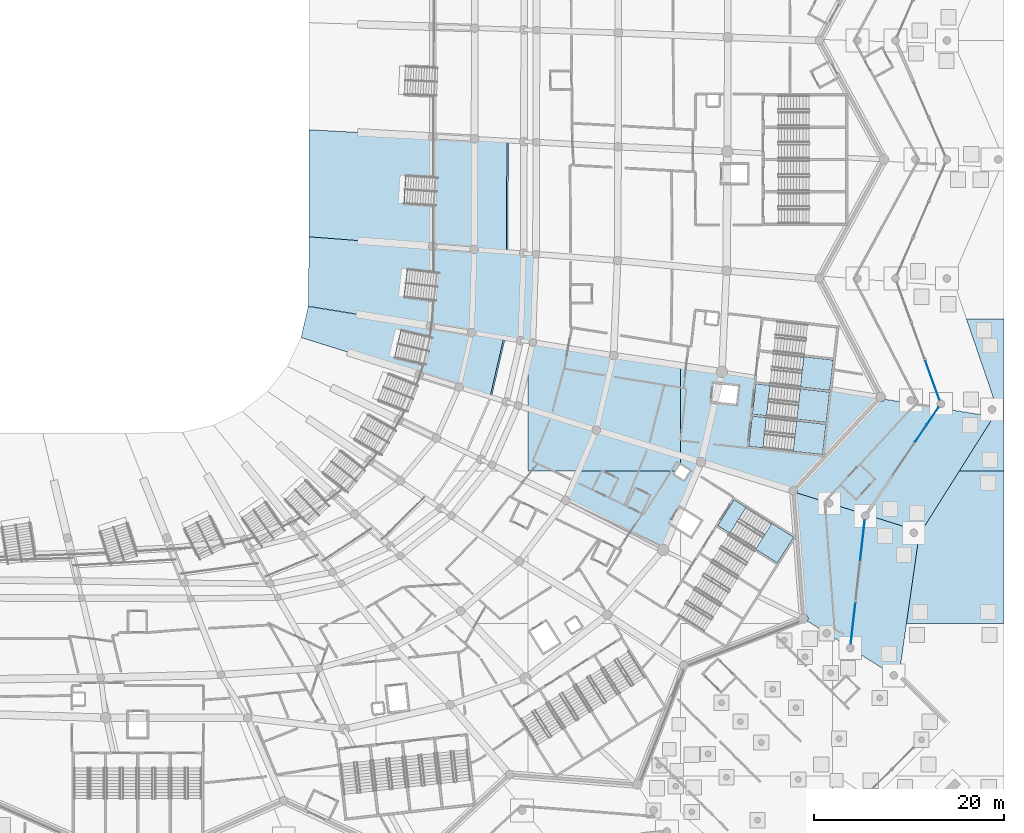
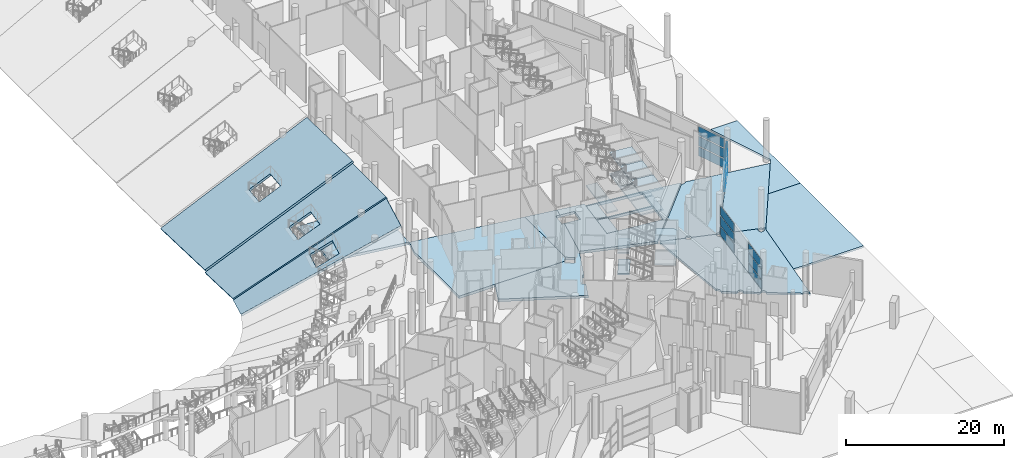
# One storey, part 82 of 255: 27 slabs, 15 plates, 8 elements without a shape of their own.
"""IFC4 building model written with IfcOpenShell, lengths in metres."""

from ifc_helpers import new_model, si_unit, direction, frame, origin, origin_2d, place, context, subcontext, project, spatial, polyline, rectangle, outline, extrude, material, layer, layer_set, type_object, element, aggregate, save


model = new_model("IFC4")

# Units and contexts
model_context = context("Model", 3, precision=1e-05, world=origin(), true_north=direction((0.0, 1.0)))
body_context = subcontext(model_context, "Body", "Model", "MODEL_VIEW")
ifc_project = project(units=[si_unit("LENGTHUNIT", "METRE"), si_unit("AREAUNIT", "SQUARE_METRE"), si_unit("VOLUMEUNIT", "CUBIC_METRE"), si_unit("PLANEANGLEUNIT", "RADIAN"), si_unit("MASSUNIT", "GRAM", prefix="KILO")], contexts=[model_context])

# Site, building, storey
site_placement = place(None, origin())
site = spatial("IfcSite", under=ifc_project, at=site_placement, CompositionType="ELEMENT")
building_placement = place(site_placement, origin())
building = spatial("IfcBuilding", under=site, at=building_placement, Name="Meseta Stadium", CompositionType="ELEMENT")
storey_placement = place(building_placement, origin())
storey = spatial("IfcBuildingStorey", under=building, at=storey_placement, Name="L00", CompositionType="ELEMENT", Elevation=0.0)

# Slabs
ifc_material_1 = material(Name="Concrete C40/50", Category="concrete")
ifc_layer_1 = layer(ifc_material_1, 0.39990234375)
ifc_layer_set_1 = layer_set([ifc_layer_1], Name="Floor slab 400")
slab_type_1 = type_object("IfcSlabType", Name="Floor slab 400", PredefinedType="FLOOR", material=ifc_layer_set_1)
slab_1_placement = place(storey_placement, frame((0.0, 0.0, -0.39990234375)))
element("IfcSlab", 1, at=slab_1_placement, inside=storey, type_object=slab_type_1, Name="Floor slab L00 sector 00 panel 01", PredefinedType="FLOOR", context=body_context, shape_type="SweptSolid", body=[
    extrude(outline(polyline([(64.829833984375, -41.2041015625), (53.9619140625, -40.369873046875), (53.9501953125, -46.135986328125), (53.90869140625, -47.00830078125), (53.838623046875, -47.87890625), (53.741455078125, -48.736572265625), (64.501953125, -50.4697265625), (64.829833984375, -41.2041015625)])), origin(), (0.0, 0.0, 1.0), 0.39990234375),
])
slab_2_placement = place(storey_placement, frame((0.0, 0.0, -0.39990234375)))
element("IfcSlab", 2, at=slab_2_placement, inside=storey, type_object=slab_type_1, Name="Floor slab L00 sector 49 panel 11", PredefinedType="FLOOR", context=body_context, shape_type="SweptSolid", body=[
    extrude(outline(polyline([(64.0, -64.0), (79.54296875, -64.0), (79.99951171875, -63.273193359375), (80.0, -62.44580078125), (80.0, -52.98583984375), (64.499267578125, -50.489501953125), (64.0, -52.640380859375), (64.0, -64.0)])), origin(), (0.0, 0.0, 1.0), 0.39990234375),
])
slab_3_placement = place(storey_placement, frame((0.0, 0.0, -0.39990234375)))
element("IfcSlab", 3, at=slab_3_placement, inside=storey, type_object=slab_type_1, Name="Floor slab L00 sector 49 panel 15", PredefinedType="FLOOR", context=body_context, shape_type="SweptSolid", body=[
    extrude(outline(polyline([(81.015625, -63.91162109375), (80.377197265625, -64.927734375), (79.361083984375, -64.289306640625), (79.54296875, -64.0), (69.297119140625, -64.0), (67.972412109375, -67.057861328125), (78.303466796875, -72.0263671875), (79.308349609375, -69.68896484375), (78.903564453125, -69.4345703125), (79.914306640625, -67.82568359375), (80.06787109375, -67.922119140625), (82.169189453125, -63.03369140625), (83.635498046875, -56.7060546875), (83.2880859375, -56.6669921875), (83.500732421875, -54.77880859375), (84.0673828125, -54.842529296875), (84.335693359375, -53.684326171875), (80.0, -52.98583984375), (80.0, -63.273681640625), (81.015625, -63.91162109375)])), origin(), (0.0, 0.0, 1.0), 0.39990234375),
])
slab_4_placement = place(storey_placement, frame((0.0, 0.0, -0.39990234375)))
element("IfcSlab", 4, at=slab_4_placement, inside=storey, type_object=slab_type_1, Name="Floor slab L00 sector 49 panel 18", PredefinedType="FLOOR", context=body_context, shape_type="SweptSolid", body=[
    extrude(outline(polyline([(82.169189453125, -63.03369140625), (91.872802734375, -66.051513671875), (100.910888671875, -56.353759765625), (95.3837890625, -55.463623046875), (87.94580078125, -54.62548828125), (87.985595703125, -54.272216796875), (84.335693359375, -53.684326171875), (84.0673828125, -54.842529296875), (86.08447265625, -55.06982421875), (85.87158203125, -56.9580078125), (83.635498046875, -56.7060546875), (82.169189453125, -63.03369140625)]), holes=[polyline([(87.1845703125, -61.3828125), (87.542724609375, -58.202880859375), (95.293701171875, -59.076171875), (94.935302734375, -62.256103515625), (87.1845703125, -61.3828125)]), polyline([(87.565185546875, -58.004150390625), (87.923583984375, -54.82421875), (95.67431640625, -55.697509765625), (95.316162109375, -58.87744140625), (87.565185546875, -58.004150390625)])]), origin(), (0.0, 0.0, 1.0), 0.39990234375),
])
ifc_material_2 = material(Name="Concrete C40/50", Category="concrete")
ifc_layer_2 = layer(ifc_material_2, 0.300048828125)
ifc_layer_set_2 = layer_set([ifc_layer_2], Name="Gate court paving 300")
slab_type_2 = type_object("IfcSlabType", Name="Gate court paving 300", PredefinedType="FLOOR", material=ifc_layer_set_2)
slab_5_placement = place(storey_placement, frame((0.0, 0.0, -0.300048828125)))
element("IfcSlab", 5, at=slab_5_placement, inside=storey, type_object=slab_type_2, Name="Gate 8 court paving panel 08", PredefinedType="FLOOR", context=body_context, shape_type="SweptSolid", body=[
    extrude(outline(polyline([(114.0, -64.0), (109.292236328125, -64.0), (105.086181640625, -70.675048828125), (103.755126953125, -80.0), (114.0, -80.0), (114.0, -64.0)])), origin(), (0.0, 0.0, 1.0), 0.300048828125),
])
slab_6_placement = place(storey_placement, frame((0.0, 0.0, -0.300048828125)))
element("IfcSlab", 6, at=slab_6_placement, inside=storey, type_object=slab_type_2, Name="Gate 8 court paving panel 09", PredefinedType="FLOOR", context=body_context, shape_type="SweptSolid", body=[
    extrude(outline(polyline([(113.33349609375, -57.586669921875), (109.292236328125, -64.0), (114.0, -64.0), (114.0, -47.9990234375), (110.053466796875, -48.0), (113.33349609375, -57.586669921875)])), origin(), (0.0, 0.0, 1.0), 0.300048828125),
])
ifc_material_3 = material(Name="Concrete C40/50", Category="concrete")
ifc_layer_3 = layer(ifc_material_3, 0.300048828125)
ifc_layer_set_3 = layer_set([ifc_layer_3], Name="Passage paving slab 300")
slab_type_3 = type_object("IfcSlabType", Name="Passage paving slab 300", PredefinedType="FLOOR", material=ifc_layer_set_3)
slab_7_placement = place(storey_placement, frame((0.0, 0.0, -0.300048828125)))
element("IfcSlab", 7, at=slab_7_placement, inside=storey, type_object=slab_type_3, Name="Covered passage paving 8 part 1 panel 01", PredefinedType="FLOOR", context=body_context, shape_type="SweptSolid", body=[
    extrude(outline(polyline([(102.82763671875, -85.45361328125), (102.81396484375, -85.55810546875), (102.773681640625, -85.655517578125), (102.764892578125, -85.66650390625), (102.931396484375, -85.771240234375), (103.0263671875, -85.106201171875), (103.755126953125, -80.0), (105.086181640625, -70.675048828125), (105.277587890625, -70.37109375), (104.837646484375, -70.233154296875), (104.8701171875, -70.275634765625), (104.910400390625, -70.372802734375), (104.92431640625, -70.477294921875), (104.910400390625, -70.581787109375), (104.8701171875, -70.678955078125), (104.805908203125, -70.7626953125), (104.722412109375, -70.82666015625), (104.625244140625, -70.866943359375), (104.520751953125, -70.880859375), (104.416259765625, -70.866943359375), (104.319091796875, -70.82666015625), (104.235595703125, -70.7626953125), (104.17138671875, -70.678955078125), (104.131103515625, -70.581787109375), (104.1171875, -70.477294921875), (104.131103515625, -70.372802734375), (104.17138671875, -70.275634765625), (104.235595703125, -70.19189453125), (104.319091796875, -70.1279296875), (104.397705078125, -70.09521484375), (99.822998046875, -68.660888671875), (99.8271484375, -68.69384765625), (99.8134765625, -68.798095703125), (99.773193359375, -68.8955078125), (99.708984375, -68.97900390625), (99.62548828125, -69.043212890625), (99.5283203125, -69.08349609375), (99.423828125, -69.09716796875), (99.37890625, -69.09130859375), (97.89697265625, -82.18310546875), (97.956298828125, -82.19091796875), (98.0537109375, -82.231201171875), (98.13720703125, -82.29541015625), (98.201416015625, -82.37890625), (98.24169921875, -82.476318359375), (98.25537109375, -82.580810546875), (98.24169921875, -82.68505859375), (98.201416015625, -82.782470703125), (98.192626953125, -82.793701171875), (102.084716796875, -85.239013671875), (102.138916015625, -85.16845703125), (102.222412109375, -85.104248046875), (102.31982421875, -85.06396484375), (102.42431640625, -85.05029296875), (102.528564453125, -85.06396484375), (102.6259765625, -85.104248046875), (102.70947265625, -85.16845703125), (102.773681640625, -85.251953125), (102.81396484375, -85.34912109375), (102.82763671875, -85.45361328125)])), origin(), (0.0, 0.0, 1.0), 0.300048828125),
])
slab_8_placement = place(storey_placement, frame((0.0, 0.0, -0.300048828125)))
element("IfcSlab", 8, at=slab_8_placement, inside=storey, type_object=slab_type_3, Name="Covered passage paving 8 part 1 panel 02", PredefinedType="FLOOR", context=body_context, shape_type="SweptSolid", body=[
    extrude(outline(polyline([(104.805908203125, -70.19189453125), (104.837646484375, -70.233154296875), (105.277587890625, -70.37109375), (109.292236328125, -64.0), (112.894287109375, -58.28369140625), (107.08056640625, -57.347412109375), (99.64794921875, -68.361572265625), (99.708984375, -68.408447265625), (99.773193359375, -68.4921875), (99.8134765625, -68.58935546875), (99.822998046875, -68.660888671875), (104.397705078125, -70.09521484375), (104.416259765625, -70.087646484375), (104.520751953125, -70.073974609375), (104.625244140625, -70.087646484375), (104.722412109375, -70.1279296875), (104.805908203125, -70.19189453125)])), origin(), (0.0, 0.0, 1.0), 0.300048828125),
])

# Curtain wall, plates
ifc_material_4 = material(Name="Aluminium", Category="aluminium")
ifc_layer_4 = layer(ifc_material_4, 0.199951171875)
ifc_layer_set_4 = layer_set([ifc_layer_4], Name="Ring shopfront curtain wall")
curtain_wall_type = type_object("IfcCurtainWallType", Name="Ring shopfront curtain wall", PredefinedType="NOTDEFINED", material=ifc_layer_set_4)
curtain_wall_1_placement = place(storey_placement, origin())
curtain_wall_1 = element("IfcCurtainWall", 9, at=curtain_wall_1_placement, inside=storey, type_object=curtain_wall_type, Name="Shopfront glazing F54a", PredefinedType="NOTDEFINED")
ifc_material_5 = material(Name="Glass", Category="glass")
ifc_layer_5 = layer(ifc_material_5, 0.035888671875)
ifc_layer_set_5 = layer_set([ifc_layer_5], Name="Ring CW glass panel 36")
plate_type = type_object("IfcPlateType", Name="Ring CW glass panel 36", PredefinedType="CURTAIN_PANEL", material=ifc_layer_set_5)
plate_1_placement = place(storey_placement, frame((98.1435546875, -80.003173828125, 0.150146484375), z_axis=(0.0, 0.0, 1.0), x_axis=(0.112472456913, 0.993654842707, 0.0)))
plate_1 = element("IfcPlate", 10, at=plate_1_placement, type_object=plate_type, Name="CWR1 panel 1.1", PredefinedType="CURTAIN_PANEL", context=body_context, shape_type="SweptSolid", body=[
    extrude(rectangle(XDim=4.267822265625, YDim=0.035888671875, at=origin_2d()), origin(), (0.0, 0.0, 1.0), 1.3916015625),
])
plate_2_placement = place(storey_placement, frame((98.1435546875, -80.003173828125, 1.69189453125), z_axis=(0.0, 0.0, 1.0), x_axis=(0.112472456913, 0.993654842707, 0.0)))
plate_2 = element("IfcPlate", 11, at=plate_2_placement, type_object=plate_type, Name="CWR1 panel 1.2", PredefinedType="CURTAIN_PANEL", context=body_context, shape_type="SweptSolid", body=[
    extrude(rectangle(XDim=4.267822265625, YDim=0.035888671875, at=origin_2d()), origin(), (0.0, 0.0, 1.0), 1.466552734375),
])
plate_3_placement = place(storey_placement, frame((98.1435546875, -80.003173828125, 3.308349609375), z_axis=(0.0, 0.0, 1.0), x_axis=(0.112472456913, 0.993654842707, 0.0)))
plate_3 = element("IfcPlate", 12, at=plate_3_placement, type_object=plate_type, Name="CWR1 panel 1.3", PredefinedType="CURTAIN_PANEL", context=body_context, shape_type="SweptSolid", body=[
    extrude(rectangle(XDim=4.267822265625, YDim=0.035888671875, at=origin_2d()), origin(), (0.0, 0.0, 1.0), 1.3916015625),
])
aggregate(curtain_wall_1, [plate_1, plate_2, plate_3])

curtain_wall_2_placement = place(storey_placement, origin())
curtain_wall_2 = element("IfcCurtainWall", 13, at=curtain_wall_2_placement, inside=storey, type_object=curtain_wall_type, Name="Shopfront glazing F54b", PredefinedType="NOTDEFINED")
plate_4_placement = place(storey_placement, frame((99.132080078125, -71.271240234375, 0.150146484375), z_axis=(0.0, 0.0, 1.0), x_axis=(0.112472456913, 0.993654842707, 0.0)))
plate_4 = element("IfcPlate", 14, at=plate_4_placement, type_object=plate_type, Name="CWR1 panel 1.1", PredefinedType="CURTAIN_PANEL", context=body_context, shape_type="SweptSolid", body=[
    extrude(rectangle(XDim=4.267822265625, YDim=0.035888671875, at=origin_2d()), origin(), (0.0, 0.0, 1.0), 1.3916015625),
])
plate_5_placement = place(storey_placement, frame((99.132080078125, -71.271240234375, 1.69189453125), z_axis=(0.0, 0.0, 1.0), x_axis=(0.112472456913, 0.993654842707, 0.0)))
plate_5 = element("IfcPlate", 15, at=plate_5_placement, type_object=plate_type, Name="CWR1 panel 1.2", PredefinedType="CURTAIN_PANEL", context=body_context, shape_type="SweptSolid", body=[
    extrude(rectangle(XDim=4.267822265625, YDim=0.035888671875, at=origin_2d()), origin(), (0.0, 0.0, 1.0), 1.466552734375),
])
plate_6_placement = place(storey_placement, frame((99.132080078125, -71.271240234375, 3.308349609375), z_axis=(0.0, 0.0, 1.0), x_axis=(0.112472456913, 0.993654842707, 0.0)))
plate_6 = element("IfcPlate", 16, at=plate_6_placement, type_object=plate_type, Name="CWR1 panel 1.3", PredefinedType="CURTAIN_PANEL", context=body_context, shape_type="SweptSolid", body=[
    extrude(rectangle(XDim=4.267822265625, YDim=0.035888671875, at=origin_2d()), origin(), (0.0, 0.0, 1.0), 1.3916015625),
])
aggregate(curtain_wall_2, [plate_4, plate_5, plate_6])

curtain_wall_3_placement = place(storey_placement, origin())
curtain_wall_3 = element("IfcCurtainWall", 17, at=curtain_wall_3_placement, inside=storey, type_object=curtain_wall_type, Name="Shopfront glazing F55b", PredefinedType="NOTDEFINED")
plate_7_placement = place(storey_placement, frame((105.26708984375, -60.034912109375, 0.150146484375), z_axis=(0.0, 0.0, 1.0), x_axis=(0.559368389201, 0.828919178909, 0.0)))
plate_7 = element("IfcPlate", 18, at=plate_7_placement, type_object=plate_type, Name="CWR1 panel 1.1", PredefinedType="CURTAIN_PANEL", context=body_context, shape_type="SweptSolid", body=[
    extrude(rectangle(XDim=2.162353515625, YDim=0.035888671875, at=origin_2d()), origin(), (0.0, 0.0, 1.0), 1.3916015625),
])
plate_8_placement = place(storey_placement, frame((105.26708984375, -60.034912109375, 1.69189453125), z_axis=(0.0, 0.0, 1.0), x_axis=(0.559368389201, 0.828919178909, 0.0)))
plate_8 = element("IfcPlate", 19, at=plate_8_placement, type_object=plate_type, Name="CWR1 panel 1.2", PredefinedType="CURTAIN_PANEL", context=body_context, shape_type="SweptSolid", body=[
    extrude(rectangle(XDim=2.162353515625, YDim=0.035888671875, at=origin_2d()), origin(), (0.0, 0.0, 1.0), 1.466552734375),
])
plate_9_placement = place(storey_placement, frame((105.26708984375, -60.034912109375, 3.308349609375), z_axis=(0.0, 0.0, 1.0), x_axis=(0.559368389201, 0.828919178909, 0.0)))
plate_9 = element("IfcPlate", 20, at=plate_9_placement, type_object=plate_type, Name="CWR1 panel 1.3", PredefinedType="CURTAIN_PANEL", context=body_context, shape_type="SweptSolid", body=[
    extrude(rectangle(XDim=2.162353515625, YDim=0.035888671875, at=origin_2d()), origin(), (0.0, 0.0, 1.0), 1.3916015625),
])
plate_10_placement = place(storey_placement, frame((106.51025390625, -58.192626953125, 0.150146484375), z_axis=(0.0, 0.0, 1.0), x_axis=(0.559368389201, 0.828919178909, 0.0)))
plate_10 = element("IfcPlate", 21, at=plate_10_placement, type_object=plate_type, Name="CWR1 panel 2.1", PredefinedType="CURTAIN_PANEL", context=body_context, shape_type="SweptSolid", body=[
    extrude(rectangle(XDim=2.162353515625, YDim=0.035888671875, at=origin_2d()), origin(), (0.0, 0.0, 1.0), 1.3916015625),
])
plate_11_placement = place(storey_placement, frame((106.51025390625, -58.192626953125, 1.69189453125), z_axis=(0.0, 0.0, 1.0), x_axis=(0.559368389201, 0.828919178909, 0.0)))
plate_11 = element("IfcPlate", 22, at=plate_11_placement, type_object=plate_type, Name="CWR1 panel 2.2", PredefinedType="CURTAIN_PANEL", context=body_context, shape_type="SweptSolid", body=[
    extrude(rectangle(XDim=2.162353515625, YDim=0.035888671875, at=origin_2d()), origin(), (0.0, 0.0, 1.0), 1.466552734375),
])
plate_12_placement = place(storey_placement, frame((106.51025390625, -58.192626953125, 3.308349609375), z_axis=(0.0, 0.0, 1.0), x_axis=(0.559368389201, 0.828919178909, 0.0)))
plate_12 = element("IfcPlate", 23, at=plate_12_placement, type_object=plate_type, Name="CWR1 panel 2.3", PredefinedType="CURTAIN_PANEL", context=body_context, shape_type="SweptSolid", body=[
    extrude(rectangle(XDim=2.162353515625, YDim=0.035888671875, at=origin_2d()), origin(), (0.0, 0.0, 1.0), 1.3916015625),
])
aggregate(curtain_wall_3, [plate_7, plate_8, plate_9, plate_10, plate_11, plate_12])

curtain_wall_4_placement = place(storey_placement, origin())
curtain_wall_4 = element("IfcCurtainWall", 24, at=curtain_wall_4_placement, inside=storey, type_object=curtain_wall_type, Name="Shopfront glazing F00a", PredefinedType="NOTDEFINED")
plate_13_placement = place(storey_placement, frame((106.48583984375, -54.469970703125, 0.150146484375), z_axis=(0.0, 0.0, 1.0), x_axis=(-0.340799825619, 0.940135883188, 0.0)))
plate_13 = element("IfcPlate", 25, at=plate_13_placement, type_object=plate_type, Name="CWR1 panel 1.1", PredefinedType="CURTAIN_PANEL", context=body_context, shape_type="SweptSolid", body=[
    extrude(rectangle(XDim=4.28173828125, YDim=0.035888671875, at=origin_2d()), origin(), (0.0, 0.0, 1.0), 1.3916015625),
])
plate_14_placement = place(storey_placement, frame((106.48583984375, -54.469970703125, 1.69189453125), z_axis=(0.0, 0.0, 1.0), x_axis=(-0.340799825619, 0.940135883188, 0.0)))
plate_14 = element("IfcPlate", 26, at=plate_14_placement, type_object=plate_type, Name="CWR1 panel 1.2", PredefinedType="CURTAIN_PANEL", context=body_context, shape_type="SweptSolid", body=[
    extrude(rectangle(XDim=4.28173828125, YDim=0.035888671875, at=origin_2d()), origin(), (0.0, 0.0, 1.0), 1.466552734375),
])
plate_15_placement = place(storey_placement, frame((106.48583984375, -54.469970703125, 3.308349609375), z_axis=(0.0, 0.0, 1.0), x_axis=(-0.340799825619, 0.940135883188, 0.0)))
plate_15 = element("IfcPlate", 27, at=plate_15_placement, type_object=plate_type, Name="CWR1 panel 1.3", PredefinedType="CURTAIN_PANEL", context=body_context, shape_type="SweptSolid", body=[
    extrude(rectangle(XDim=4.28173828125, YDim=0.035888671875, at=origin_2d()), origin(), (0.0, 0.0, 1.0), 1.3916015625),
])
aggregate(curtain_wall_4, [plate_13, plate_14, plate_15])

# Slabs
ifc_material_6 = material(Name="Concrete C30/37", Category="concrete")
ifc_layer_6 = layer(ifc_material_6, 0.300048828125)
ifc_layer_set_6 = layer_set([ifc_layer_6], Name="Ring grade slab 300")
slab_type_4 = type_object("IfcSlabType", Name="Ring grade slab 300", PredefinedType="BASESLAB", material=ifc_layer_set_6)
slab_9_placement = place(storey_placement, frame((0.0, 0.0, -0.300048828125)))
element("IfcSlab", 28, at=slab_9_placement, inside=storey, type_object=slab_type_4, Name="Ring ground floor slab 8 part 1 panel 01", PredefinedType="BASESLAB", context=body_context, shape_type="SweptSolid", body=[
    extrude(outline(polyline([(93.0390625, -78.9873046875), (93.16064453125, -79.037841796875), (93.26513671875, -79.117919921875), (93.34521484375, -79.222412109375), (93.395751953125, -79.343994140625), (93.412841796875, -79.474609375), (93.395751953125, -79.60498046875), (93.34521484375, -79.726806640625), (93.333740234375, -79.74169921875), (95.0400390625, -80.81396484375), (95.094970703125, -80.7421875), (95.178466796875, -80.67822265625), (95.27587890625, -80.637939453125), (95.380126953125, -80.624267578125), (95.484619140625, -80.637939453125), (95.581787109375, -80.67822265625), (95.66552734375, -80.7421875), (95.7294921875, -80.825927734375), (95.77001953125, -80.923095703125), (95.78369140625, -81.027587890625), (95.77001953125, -81.132080078125), (95.7294921875, -81.2294921875), (95.720458984375, -81.241455078125), (97.51171875, -82.366943359375), (97.566650390625, -82.29541015625), (97.650146484375, -82.231201171875), (97.747314453125, -82.19091796875), (97.851806640625, -82.17724609375), (97.89697265625, -82.18310546875), (99.37890625, -69.09130859375), (99.3193359375, -69.08349609375), (99.22216796875, -69.043212890625), (99.138427734375, -68.97900390625), (99.074462890625, -68.8955078125), (99.0341796875, -68.798095703125), (99.020263671875, -68.69384765625), (99.0341796875, -68.58935546875), (99.074462890625, -68.4921875), (99.114990234375, -68.43896484375), (96.038330078125, -67.474365234375), (95.997802734375, -67.574462890625), (95.93359375, -67.657958984375), (95.85009765625, -67.72216796875), (95.752685546875, -67.762451171875), (95.648193359375, -67.776123046875), (95.543701171875, -67.762451171875), (95.446533203125, -67.72216796875), (95.363037109375, -67.657958984375), (95.298828125, -67.574462890625), (95.258544921875, -67.47705078125), (95.244873046875, -67.372802734375), (95.258544921875, -67.268310546875), (95.272705078125, -67.234375), (92.2578125, -66.2890625), (92.193603515625, -66.37255859375), (92.099609375, -66.444580078125), (92.054931640625, -66.463134765625), (93.021240234375, -78.985107421875), (93.0390625, -78.9873046875)])), origin(), (0.0, 0.0, 1.0), 0.300048828125),
])
slab_10_placement = place(storey_placement, frame((0.0, 0.0, -0.300048828125)))
element("IfcSlab", 29, at=slab_10_placement, inside=storey, type_object=slab_type_4, Name="Ring ground floor slab 8 part 1 panel 02", PredefinedType="BASESLAB", context=body_context, shape_type="SweptSolid", body=[
    extrude(outline(polyline([(92.31103515625, -66.1689453125), (92.265869140625, -66.278564453125), (92.2578125, -66.2890625), (95.272705078125, -67.234375), (95.298828125, -67.1708984375), (95.363037109375, -67.08740234375), (95.446533203125, -67.023193359375), (95.543701171875, -66.98291015625), (95.648193359375, -66.96923828125), (95.752685546875, -66.98291015625), (95.85009765625, -67.023193359375), (95.93359375, -67.08740234375), (95.997802734375, -67.1708984375), (96.0380859375, -67.268310546875), (96.0517578125, -67.372802734375), (96.038330078125, -67.474365234375), (99.114990234375, -68.43896484375), (99.138427734375, -68.408447265625), (99.22216796875, -68.344482421875), (99.3193359375, -68.30419921875), (99.423828125, -68.290283203125), (99.5283203125, -68.30419921875), (99.62548828125, -68.344482421875), (99.64794921875, -68.361572265625), (107.08056640625, -57.347412109375), (104.39697265625, -56.915283203125), (104.31640625, -56.948486328125), (104.2119140625, -56.96240234375), (104.107666015625, -56.948486328125), (104.01025390625, -56.908203125), (103.9267578125, -56.84423828125), (103.922607421875, -56.8388671875), (101.49169921875, -56.447265625), (101.48828125, -56.455078125), (101.408203125, -56.559326171875), (101.3037109375, -56.6396484375), (101.18212890625, -56.68994140625), (101.0517578125, -56.70703125), (100.921142578125, -56.68994140625), (100.835693359375, -56.654541015625), (92.27294921875, -65.842041015625), (92.31103515625, -65.93408203125), (92.32666015625, -66.051513671875), (92.31103515625, -66.1689453125)])), origin(), (0.0, 0.0, 1.0), 0.300048828125),
])
ifc_material_7 = material(Name="Concrete C40/50", Category="concrete")
ifc_layer_7 = layer(ifc_material_7, 0.35009765625)
ifc_layer_set_7 = layer_set([ifc_layer_7], Name="Seating tier 350")
slab_type_5 = type_object("IfcSlabType", Name="Seating tier 350", PredefinedType="USERDEFINED", material=ifc_layer_set_7)
slab_11_placement = place(storey_placement, frame((40.90576171875, -46.66943359375, -2.8046875), z_axis=(-0.451150712218, 0.05360822148, 0.89083623268), x_axis=(0.879658279035, -0.141673482275, 0.454015348358)))
element("IfcSlab", 30, at=slab_11_placement, inside=storey, type_object=slab_type_5, Name="Stand lower tier bay 01", ObjectType="SEATING TIER", PredefinedType="USERDEFINED", context=body_context, shape_type="SweptSolid", body=[
    extrude(outline(polyline([(0.0, 0.0), (23.345080439641926, -2.7755575615628914e-17), (22.152600693548976, 8.944282530278553), (-1.1281017567839362, 7.217894313490275), (0.0, 0.0)]), holes=[polyline([(11.036376953125, 2.532470703125), (14.40185546875, 2.65673828125), (14.291015625, 5.654541015625), (10.925537109375, 5.5302734375), (11.036376953125, 2.532470703125)])]), origin(), (0.0, 0.0, -1.0), 0.35009765625),
])
slab_12_placement = place(storey_placement, frame((41.0, -39.375, -2.811767578125), z_axis=(-0.453344071807, 0.029819807615, 0.890836646996), x_axis=(0.888235098104, -0.068175344085, 0.45430224846)))
element("IfcSlab", 31, at=slab_12_placement, inside=storey, type_object=slab_type_5, Name="Stand lower tier bay 02", ObjectType="SEATING TIER", PredefinedType="USERDEFINED", context=body_context, shape_type="SweptSolid", body=[
    extrude(outline(polyline([(0.0, 0.0), (23.348616751252266, -3.7470027081099033e-16), (22.406068660073107, 11.67122678491994), (-0.9380014459394543, 11.21714665390208), (0.0, 0.0)]), holes=[polyline([(10.8818359375, 4.218994140625), (14.24951171875, 4.25146484375), (14.220458984375, 7.25146484375), (10.852783203125, 7.21875), (10.8818359375, 4.218994140625)])]), origin(), (0.0, 0.0, -1.0), 0.35009765625),
])
slab_13_placement = place(storey_placement, frame((40.158203125, -49.9541015625, -2.99365234375), z_axis=(-0.442177971038, 0.104378636413, 0.890833173041), x_axis=(0.850485610352, -0.26665896378, 0.453395217906)))
element("IfcSlab", 32, at=slab_13_placement, inside=storey, type_object=slab_type_5, Name="Stand lower tier bay 56", ObjectType="SEATING TIER", PredefinedType="USERDEFINED", context=body_context, shape_type="SweptSolid", body=[
    extrude(outline(polyline([(0.0, 0.0), (23.336508782949533, 3.885780586188048e-16), (22.901523996169352, 6.32948110749282), (-0.24244978162947295, 3.340129685972685), (0.0, 0.0)]), holes=[polyline([(11.259521484375, 0.90380859375), (14.6201171875, 1.119873046875), (14.427734375, 4.11376953125), (11.067138671875, 3.897705078125), (11.259521484375, 0.90380859375)])]), origin(), (0.0, 0.0, -1.0), 0.35009765625),
])

# Stair, slabs
ifc_material_8 = material(Name="Concrete C40/50", Category="concrete")
stair_type = type_object("IfcStairType", Name="Exit stair 4 flights 148 mm risers", PredefinedType="HALF_TURN_STAIR", material=ifc_material_8)
stair_1_placement = place(storey_placement, origin())
stair_1 = element("IfcStair", 33, at=stair_1_placement, inside=storey, type_object=stair_type, Name="ST1 L00", PredefinedType="HALF_TURN_STAIR")
ifc_material_9 = material(Name="Concrete C40/50", Category="concrete")
ifc_layer_8 = layer(ifc_material_9, 0.199951171875)
ifc_layer_set_8 = layer_set([ifc_layer_8], Name="Stair landing 200")
slab_type_6 = type_object("IfcSlabType", Name="Stair landing 200", PredefinedType="LANDING", material=ifc_layer_set_8)
slab_14_placement = place(storey_placement, frame((0.0, 0.0, 1.425048828125)))
slab_14 = element("IfcSlab", 34, at=slab_14_placement, type_object=slab_type_6, Name="ST1 L00 landing 1", PredefinedType="LANDING", context=body_context, shape_type="SweptSolid", body=[
    extrude(outline(polyline([(91.844970703125, -61.907958984375), (94.935546875, -62.256103515625), (95.293701171875, -59.076171875), (92.203369140625, -58.72802734375), (91.844970703125, -61.907958984375)])), origin(), (0.0, 0.0, 1.0), 0.199951171875),
])
slab_15_placement = place(storey_placement, frame((0.0, 0.0, 3.050048828125)))
slab_15 = element("IfcSlab", 35, at=slab_15_placement, type_object=slab_type_6, Name="ST1 L00 landing 2", PredefinedType="LANDING", context=body_context, shape_type="SweptSolid", body=[
    extrude(outline(polyline([(87.1845703125, -61.3828125), (88.68505859375, -61.5517578125), (89.043212890625, -58.3720703125), (87.542724609375, -58.202880859375), (87.1845703125, -61.3828125)])), origin(), (0.0, 0.0, 1.0), 0.199951171875),
])
slab_16_placement = place(storey_placement, frame((0.0, 0.0, 4.675048828125)))
slab_16 = element("IfcSlab", 36, at=slab_16_placement, type_object=slab_type_6, Name="ST1 L00 landing 3", PredefinedType="LANDING", context=body_context, shape_type="SweptSolid", body=[
    extrude(outline(polyline([(91.844970703125, -61.907958984375), (94.935546875, -62.256103515625), (95.293701171875, -59.076171875), (92.203369140625, -58.72802734375), (91.844970703125, -61.907958984375)])), origin(), (0.0, 0.0, 1.0), 0.199951171875),
])
slab_17_placement = place(storey_placement, frame((0.0, 0.0, -0.199951171875)))
slab_17 = element("IfcSlab", 37, at=slab_17_placement, type_object=slab_type_6, Name="ST1 L00 landing 4", PredefinedType="LANDING", context=body_context, shape_type="SweptSolid", body=[
    extrude(outline(polyline([(87.1845703125, -61.3828125), (88.68505859375, -61.5517578125), (89.043212890625, -58.3720703125), (87.542724609375, -58.202880859375), (87.1845703125, -61.3828125)])), origin(), (0.0, 0.0, 1.0), 0.199951171875),
])
aggregate(stair_1, [slab_14, slab_15, slab_16, slab_17])

stair_2_placement = place(storey_placement, origin())
stair_2 = element("IfcStair", 38, at=stair_2_placement, inside=storey, type_object=stair_type, Name="ST2 L00", PredefinedType="HALF_TURN_STAIR")
slab_18_placement = place(storey_placement, frame((0.0, 0.0, 1.425048828125)))
slab_18 = element("IfcSlab", 39, at=slab_18_placement, type_object=slab_type_6, Name="ST2 L00 landing 1", PredefinedType="LANDING", context=body_context, shape_type="SweptSolid", body=[
    extrude(outline(polyline([(92.2255859375, -58.529296875), (95.316162109375, -58.87744140625), (95.67431640625, -55.697509765625), (92.583984375, -55.349365234375), (92.2255859375, -58.529296875)])), origin(), (0.0, 0.0, 1.0), 0.199951171875),
])
slab_19_placement = place(storey_placement, frame((0.0, 0.0, 3.050048828125)))
slab_19 = element("IfcSlab", 40, at=slab_19_placement, type_object=slab_type_6, Name="ST2 L00 landing 2", PredefinedType="LANDING", context=body_context, shape_type="SweptSolid", body=[
    extrude(outline(polyline([(87.565185546875, -58.004150390625), (89.065673828125, -58.17333984375), (89.424072265625, -54.993408203125), (87.92333984375, -54.82421875), (87.565185546875, -58.004150390625)])), origin(), (0.0, 0.0, 1.0), 0.199951171875),
])
slab_20_placement = place(storey_placement, frame((0.0, 0.0, 4.675048828125)))
slab_20 = element("IfcSlab", 41, at=slab_20_placement, type_object=slab_type_6, Name="ST2 L00 landing 3", PredefinedType="LANDING", context=body_context, shape_type="SweptSolid", body=[
    extrude(outline(polyline([(92.2255859375, -58.529296875), (95.316162109375, -58.87744140625), (95.67431640625, -55.697509765625), (92.583984375, -55.349365234375), (92.2255859375, -58.529296875)])), origin(), (0.0, 0.0, 1.0), 0.199951171875),
])
slab_21_placement = place(storey_placement, frame((0.0, 0.0, -0.199951171875)))
slab_21 = element("IfcSlab", 42, at=slab_21_placement, type_object=slab_type_6, Name="ST2 L00 landing 4", PredefinedType="LANDING", context=body_context, shape_type="SweptSolid", body=[
    extrude(outline(polyline([(87.565185546875, -58.004150390625), (89.065673828125, -58.17333984375), (89.424072265625, -54.993408203125), (87.92333984375, -54.82421875), (87.565185546875, -58.004150390625)])), origin(), (0.0, 0.0, 1.0), 0.199951171875),
])
aggregate(stair_2, [slab_18, slab_19, slab_20, slab_21])

stair_3_placement = place(storey_placement, origin())
stair_3 = element("IfcStair", 43, at=stair_3_placement, inside=storey, type_object=stair_type, Name="ST3 L00", PredefinedType="HALF_TURN_STAIR")
slab_22_placement = place(storey_placement, frame((0.0, 0.0, 1.425048828125)))
slab_22 = element("IfcSlab", 44, at=slab_22_placement, type_object=slab_type_6, Name="ST3 L00 landing 1", PredefinedType="LANDING", context=body_context, shape_type="SweptSolid", body=[
    extrude(outline(polyline([(92.6064453125, -55.150634765625), (95.69677734375, -55.498779296875), (96.05517578125, -52.319091796875), (92.964599609375, -51.970703125), (92.6064453125, -55.150634765625)])), origin(), (0.0, 0.0, 1.0), 0.199951171875),
])
slab_23_placement = place(storey_placement, frame((0.0, 0.0, 4.675048828125)))
slab_23 = element("IfcSlab", 45, at=slab_23_placement, type_object=slab_type_6, Name="ST3 L00 landing 3", PredefinedType="LANDING", context=body_context, shape_type="SweptSolid", body=[
    extrude(outline(polyline([(92.6064453125, -55.150634765625), (95.69677734375, -55.498779296875), (96.05517578125, -52.319091796875), (92.964599609375, -51.970703125), (92.6064453125, -55.150634765625)])), origin(), (0.0, 0.0, 1.0), 0.199951171875),
])
aggregate(stair_3, [slab_22, slab_23])

stair_4_placement = place(storey_placement, origin())
stair_4 = element("IfcStair", 46, at=stair_4_placement, inside=storey, type_object=stair_type, Name="ST112 L00", PredefinedType="HALF_TURN_STAIR")
slab_24_placement = place(storey_placement, frame((0.0, 0.0, 1.425048828125)))
slab_24 = element("IfcSlab", 47, at=slab_24_placement, type_object=slab_type_6, Name="ST112 L00 landing 1", PredefinedType="LANDING", context=body_context, shape_type="SweptSolid", body=[
    extrude(outline(polyline([(87.90380859375, -72.1962890625), (90.1982421875, -73.63818359375), (91.90087890625, -70.928466796875), (89.606201171875, -69.48681640625), (87.90380859375, -72.1962890625)])), origin(), (0.0, 0.0, 1.0), 0.199951171875),
])
slab_25_placement = place(storey_placement, frame((0.0, 0.0, 3.050048828125)))
slab_25 = element("IfcSlab", 48, at=slab_25_placement, type_object=slab_type_6, Name="ST112 L00 landing 2", PredefinedType="LANDING", context=body_context, shape_type="SweptSolid", body=[
    extrude(outline(polyline([(83.9326171875, -69.700927734375), (85.211181640625, -70.50439453125), (86.91357421875, -67.794921875), (85.635009765625, -66.991455078125), (83.9326171875, -69.700927734375)])), origin(), (0.0, 0.0, 1.0), 0.199951171875),
])
slab_26_placement = place(storey_placement, frame((0.0, 0.0, 4.675048828125)))
slab_26 = element("IfcSlab", 49, at=slab_26_placement, type_object=slab_type_6, Name="ST112 L00 landing 3", PredefinedType="LANDING", context=body_context, shape_type="SweptSolid", body=[
    extrude(outline(polyline([(87.90380859375, -72.1962890625), (90.1982421875, -73.63818359375), (91.90087890625, -70.928466796875), (89.606201171875, -69.48681640625), (87.90380859375, -72.1962890625)])), origin(), (0.0, 0.0, 1.0), 0.199951171875),
])
slab_27_placement = place(storey_placement, frame((0.0, 0.0, -0.199951171875)))
slab_27 = element("IfcSlab", 50, at=slab_27_placement, type_object=slab_type_6, Name="ST112 L00 landing 4", PredefinedType="LANDING", context=body_context, shape_type="SweptSolid", body=[
    extrude(outline(polyline([(83.9326171875, -69.700927734375), (85.211181640625, -70.50439453125), (86.91357421875, -67.794921875), (85.635009765625, -66.991455078125), (83.9326171875, -69.700927734375)])), origin(), (0.0, 0.0, 1.0), 0.199951171875),
])
aggregate(stair_4, [slab_24, slab_25, slab_26, slab_27])

save(model, "model.ifc")
